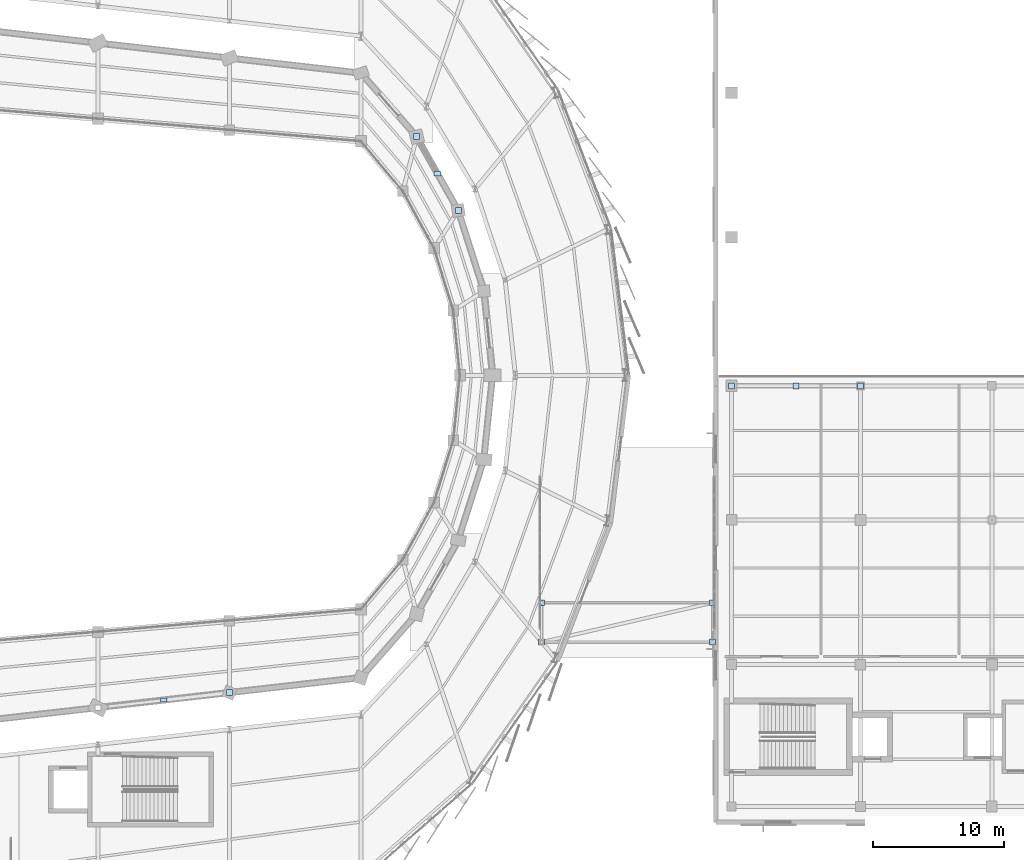
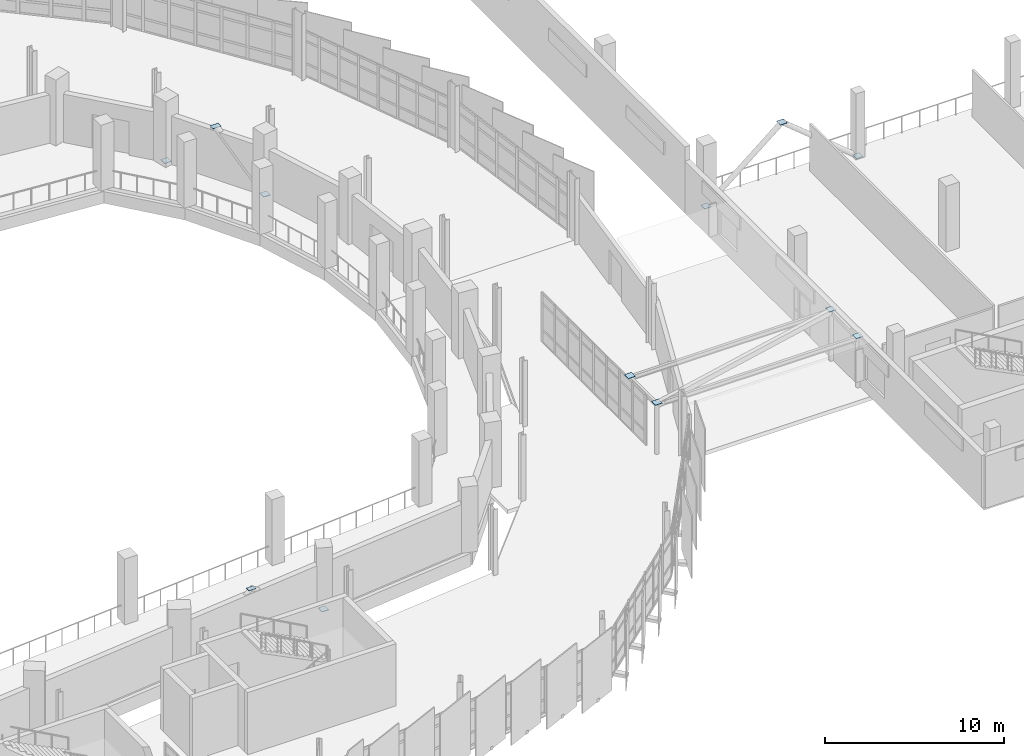
# One storey, part 100 of 125: 12 plates.
"""IFC4 building model written with IfcOpenShell, lengths in metres."""

from ifc_helpers import new_model, si_unit, direction, frame, origin, origin_2d, place, context, subcontext, project, spatial, rectangle, extrude, material, layer, layer_set, type_object, element, save


model = new_model("IFC4")

# Units and contexts
model_context = context("Model", 3, precision=1e-05, world=origin(), true_north=direction((0.0, 1.0)))
body_context = subcontext(model_context, "Body", "Model", "MODEL_VIEW")
ifc_project = project(units=[si_unit("LENGTHUNIT", "METRE"), si_unit("AREAUNIT", "SQUARE_METRE"), si_unit("VOLUMEUNIT", "CUBIC_METRE"), si_unit("PLANEANGLEUNIT", "RADIAN"), si_unit("MASSUNIT", "GRAM", prefix="KILO")], contexts=[model_context])

# Site, building, storey
site_placement = place(None, origin())
site = spatial("IfcSite", under=ifc_project, at=site_placement, CompositionType="ELEMENT")
building_placement = place(site_placement, origin())
building = spatial("IfcBuilding", under=site, at=building_placement, Name="Sohan Crest Arena", CompositionType="ELEMENT")
storey_placement = place(building_placement, frame((0.0, 0.0, 9.0)))
storey = spatial("IfcBuildingStorey", under=building, at=storey_placement, Name="L02", CompositionType="ELEMENT", Elevation=9.0)

# Plates
ifc_material = material(Name="Steel S355", Category="steel")
ifc_layer_1 = layer(ifc_material, 0.031982421875, Name="Steel S355")
ifc_layer_set_1 = layer_set([ifc_layer_1], Name="Steel S355")
plate_type_1 = type_object("IfcPlateType", Name="STR-PL-BP01", PredefinedType="USERDEFINED", material=ifc_layer_set_1)
for number, where, z_axis, x_axis, name in (
    (1, (181.75, 57.699951171875, 3.462646484375), (0.0, 0.0, 1.0), (1.0, 0.0, 0.0), "Hollow section end cap plate ECP-0060"),
    (2, (181.75, 60.699951171875, 3.462646484375), (0.0, 0.0, 1.0), (1.0, 0.0, 0.0), "Hollow section end cap plate ECP-0064"),
    (3, (194.75, 57.699951171875, 3.462646484375), (0.0, 0.0, 1.0), (1.0, 0.0, 0.0), "Hollow section end cap plate ECP-0068"),
    (4, (194.75, 60.699951171875, 3.462646484375), (0.0, 0.0, 1.0), (1.0, 0.0, 0.0), "Hollow section end cap plate ECP-0072"),
    (5, (158.0, 53.85693359375, -0.012451171875), (0.0, 0.0, 1.0), (1.0, 0.0, 0.0), "Hollow section end cap plate ECP-0520"),
    (6, (175.408935546875, 90.544921875, -0.012451171875), (0.0, 0.0, 1.0), (1.0, 0.0, 0.0), "Hollow section end cap plate ECP-0527"),
    (7, (172.242919921875, 96.154052734375, -0.012451171875), (0.0, 0.0, 1.0), (1.0, 0.0, 0.0), "Hollow section end cap plate ECP-0528"),
    (8, (196.199951171875, 77.199951171875, -0.012451171875), (0.0, 0.0, 1.0), (1.0, 0.0, 0.0), "Hollow section end cap plate ECP-0543"),
    (9, (201.10009765625, 77.199951171875, 4.007568359375), (0.0, 0.0, 1.0), (1.0, 0.0, 0.0), "Hollow section end cap plate ECP-0544"),
    (10, (206.0, 77.199951171875, -0.012451171875), (0.0, 0.0, 1.0), (1.0, 0.0, 0.0), "Hollow section end cap plate ECP-0545"),
):
    element("IfcPlate", number, at=place(storey_placement, frame(where, z_axis=z_axis, x_axis=x_axis)), inside=storey, type_object=plate_type_1, Name=name, ObjectType="BASE PLATE", PredefinedType="USERDEFINED", context=body_context, shape_type="SweptSolid", body=[
        extrude(rectangle(XDim=0.449951171875, YDim=0.449951171875, at=origin_2d()), origin(), (0.0, 0.0, 1.0), 0.02490234375),
    ])
ifc_layer_2 = layer(ifc_material, 0.02001953125, Name="Steel S355")
ifc_layer_set_2 = layer_set([ifc_layer_2], Name="Steel S355")
plate_type_2 = type_object("IfcPlateType", Name="STR-PL-SP01", PredefinedType="SHEET", material=ifc_layer_set_2)
plate_1_placement = place(storey_placement, frame((173.825927734375, 93.35009765625, 3.489990234375), z_axis=(0.0, 0.0, 1.0), x_axis=(1.0, 0.0, 0.0)))
element("IfcPlate", 11, at=plate_1_placement, inside=storey, type_object=plate_type_2, Name="Brace connection sheet plate SP-BR030", PredefinedType="SHEET", context=body_context, shape_type="SweptSolid", body=[
    extrude(rectangle(XDim=0.52001953125, YDim=0.340087890625, at=origin_2d()), origin(), (0.0, 0.0, 1.0), 0.02001953125),
])
ifc_layer_3 = layer(ifc_material, 0.01806640625, Name="Steel S355")
ifc_layer_set_3 = layer_set([ifc_layer_3], Name="Steel S355")
plate_type_3 = type_object("IfcPlateType", Name="STR-PL-SP03", PredefinedType="SHEET", material=ifc_layer_set_3)
plate_2_placement = place(storey_placement, frame((153.0, 53.284912109375, 3.490966796875), z_axis=(0.0, 0.0, 1.0), x_axis=(1.0, 0.0, 0.0)))
element("IfcPlate", 12, at=plate_2_placement, inside=storey, type_object=plate_type_3, Name="Brace connection sheet plate SP-BR022", PredefinedType="SHEET", context=body_context, shape_type="SweptSolid", body=[
    extrude(rectangle(XDim=0.47998046875, YDim=0.300048828125, at=origin_2d()), origin(), (0.0, 0.0, 1.0), 0.01806640625),
])

save(model, "model.ifc")
